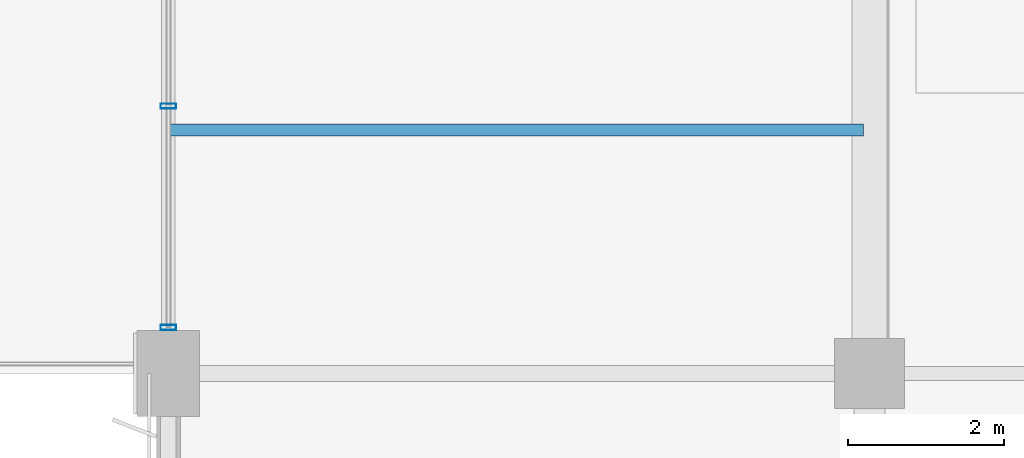
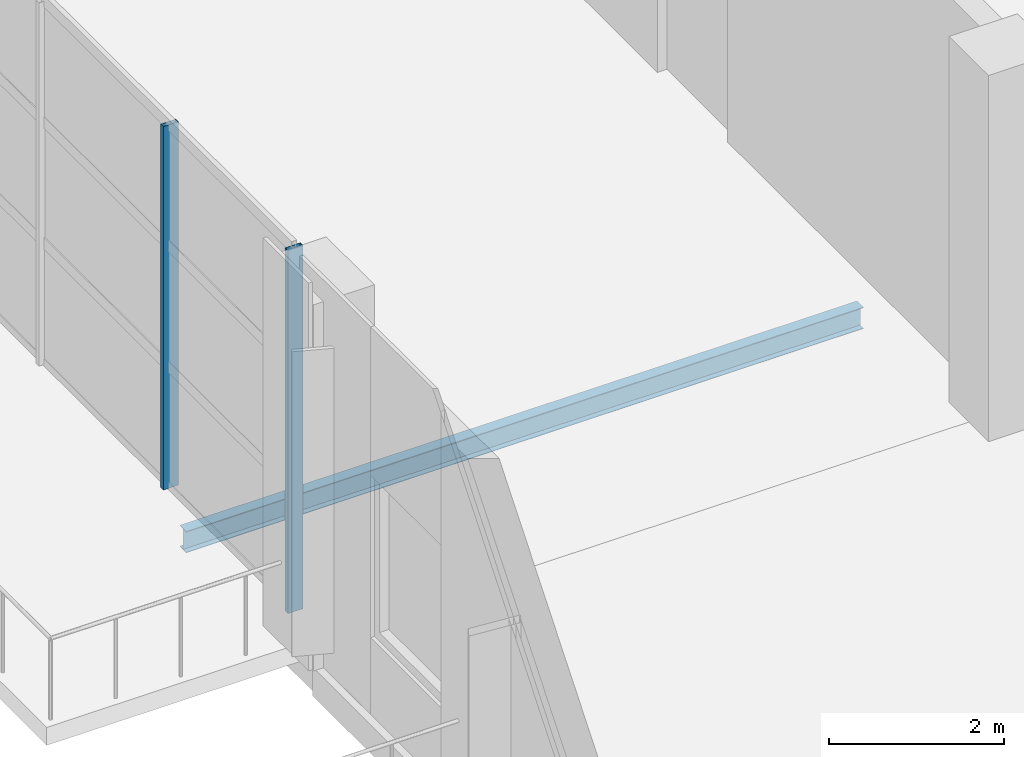
# One storey, part 39 of 90: 2 members, 1 beam, 1 element without a shape of its own.
"""IFC4 building model written with IfcOpenShell, lengths in metres."""

from ifc_helpers import new_model, si_unit, direction, frame, origin, origin_2d, place, context, subcontext, project, spatial, hollow_rectangle, i_section, extrude, material, material_profile, profile_set, type_object, element, aggregate, save


model = new_model("IFC4")

# Units and contexts
model_context = context("Model", 3, precision=1e-05, world=origin(), true_north=direction((0.0, 1.0)))
body_context = subcontext(model_context, "Body", "Model", "MODEL_VIEW")
ifc_project = project(units=[si_unit("LENGTHUNIT", "METRE"), si_unit("AREAUNIT", "SQUARE_METRE"), si_unit("VOLUMEUNIT", "CUBIC_METRE"), si_unit("PLANEANGLEUNIT", "RADIAN"), si_unit("MASSUNIT", "GRAM", prefix="KILO")], contexts=[model_context])

# Site, building, storey
site_placement = place(None, origin())
site = spatial("IfcSite", under=ifc_project, at=site_placement, CompositionType="ELEMENT")
building_placement = place(site_placement, origin())
building = spatial("IfcBuilding", under=site, at=building_placement, Name="Solvikara Media Centre", CompositionType="ELEMENT")
storey_placement = place(building_placement, origin())
storey = spatial("IfcBuildingStorey", under=building, at=storey_placement, Name="L00", CompositionType="ELEMENT", Elevation=0.0)

# Beam
ifc_material_1 = material(Name="Steel S355JR", Category="steel")
ifc_material_profile_1 = material_profile(ifc_material_1, i_section(OverallWidth=0.14892578125, OverallDepth=0.298095703125, WebThickness=0.005615234375, FlangeThickness=0.008056640625, at=origin_2d()), Name="WF 298x149x5.5x8")
ifc_profile_set_1 = profile_set([ifc_material_profile_1], Name="Steel S355JR")
beam_type = type_object("IfcBeamType", Name="BM-39", PredefinedType="JOIST", material=ifc_profile_set_1)
beam_placement = place(storey_placement, frame((127.5, 49.625, -0.531005859375), z_axis=(1.0, 0.0, 0.0), x_axis=(0.0, 1.0, 0.0)))
element("IfcBeam", 1, at=beam_placement, inside=storey, type_object=beam_type, Name="J-L00-0383", PredefinedType="JOIST", context=body_context, shape_type="SweptSolid", body=[
    extrude(i_section(OverallWidth=0.14892578125, OverallDepth=0.298095703125, WebThickness=0.005615234375, FlangeThickness=0.008056640625, at=origin_2d()), origin(), (0.0, 0.0, 1.0), 8.922119140625),
])

# Curtain wall, members
ifc_material_2 = material(Name="Anodised aluminium EN AW-6063", Category="aluminium")
curtain_wall_type = type_object("IfcCurtainWallType", Name="CW-11", PredefinedType="NOTDEFINED", material=ifc_material_2)
curtain_wall_placement = place(storey_placement, origin())
curtain_wall = element("IfcCurtainWall", 2, at=curtain_wall_placement, inside=storey, type_object=curtain_wall_type, Name="CW-L00-V2W-1-S1", PredefinedType="NOTDEFINED")
ifc_material_profile_2 = material_profile(ifc_material_2, hollow_rectangle(XDim=0.06494140625, YDim=0.199951171875, WallThickness=0.00390625, at=origin_2d()), Name="ALU-M 65x200x4")
ifc_profile_set_2 = profile_set([ifc_material_profile_2], Name="Anodised aluminium EN AW-6063")
member_type = type_object("IfcMemberType", Name="MF-02", PredefinedType="MULLION", material=ifc_profile_set_2)
member_1_placement = place(storey_placement, frame((127.5, 47.090087890625, 0.02001953125), z_axis=(0.0, 0.0, 1.0), x_axis=(0.0, 1.0, 0.0)))
member_1 = element("IfcMember", 3, at=member_1_placement, type_object=member_type, Name="CW-L00-V2W-1-S1-M00", PredefinedType="MULLION", context=body_context, shape_type="SweptSolid", body=[
    extrude(hollow_rectangle(XDim=0.06494140625, YDim=0.199951171875, WallThickness=0.00390625, at=origin_2d()), origin(), (0.0, 0.0, 1.0), 5.06005859375),
])
member_2_placement = place(storey_placement, frame((127.5, 49.931884765625, 0.02001953125), z_axis=(0.0, 0.0, 1.0), x_axis=(0.0, 1.0, 0.0)))
member_2 = element("IfcMember", 4, at=member_2_placement, type_object=member_type, Name="CW-L00-V2W-1-S1-M01", PredefinedType="MULLION", context=body_context, shape_type="SweptSolid", body=[
    extrude(hollow_rectangle(XDim=0.06494140625, YDim=0.199951171875, WallThickness=0.00390625, at=origin_2d()), origin(), (0.0, 0.0, 1.0), 5.06005859375),
])
aggregate(curtain_wall, [member_1, member_2])

save(model, "model.ifc")
